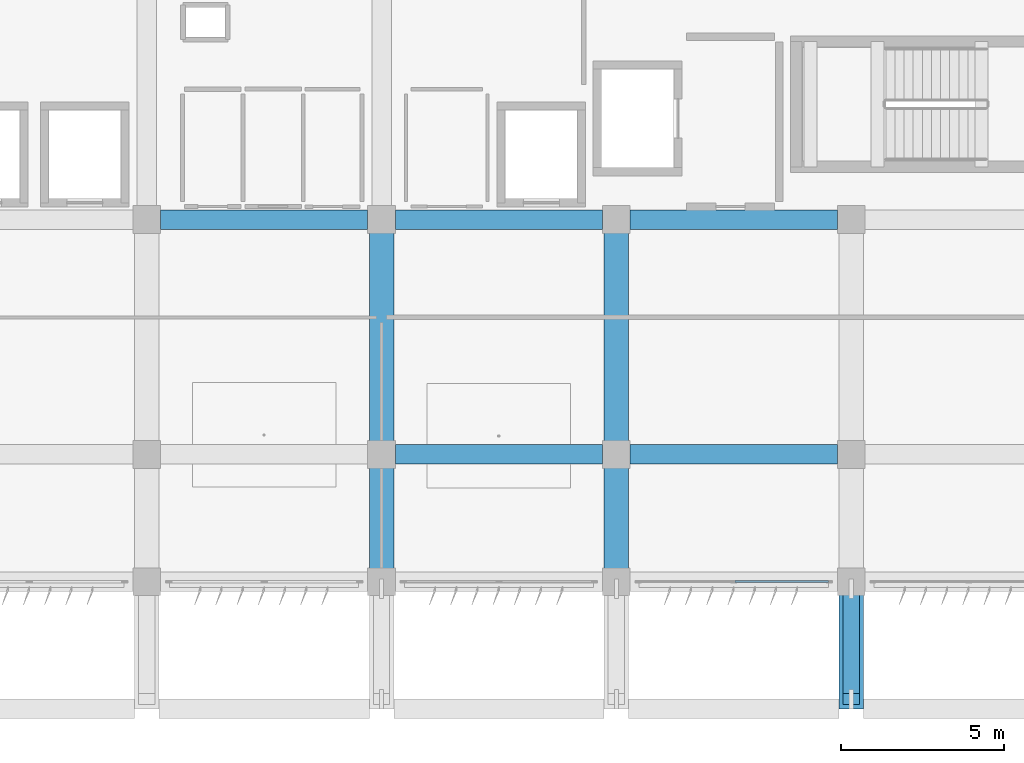
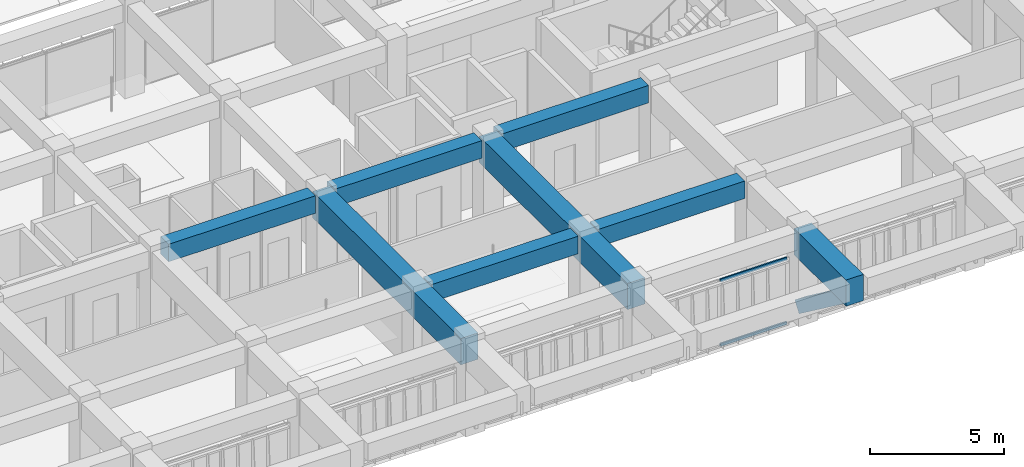
# One storey, part 18 of 56: 8 beams, 3 members, 1 element without a shape of its own.
"""IFC4 building model written with IfcOpenShell, lengths in metres."""

from ifc_helpers import new_model, si_unit, direction, frame, origin, origin_2d, place, context, subcontext, project, spatial, rectangle, hollow_rectangle, extrude, material, material_profile, profile_set, type_object, element, aggregate, save


model = new_model("IFC4")

# Units and contexts
model_context = context("Model", 3, precision=1e-05, world=origin(), true_north=direction((0.0, 1.0)))
body_context = subcontext(model_context, "Body", "Model", "MODEL_VIEW")
ifc_project = project(units=[si_unit("LENGTHUNIT", "METRE"), si_unit("AREAUNIT", "SQUARE_METRE"), si_unit("VOLUMEUNIT", "CUBIC_METRE"), si_unit("PLANEANGLEUNIT", "RADIAN"), si_unit("MASSUNIT", "GRAM", prefix="KILO")], contexts=[model_context])

# Site, building, storey
site_placement = place(None, origin())
site = spatial("IfcSite", under=ifc_project, at=site_placement, CompositionType="ELEMENT")
building_placement = place(site_placement, origin())
building = spatial("IfcBuilding", under=site, at=building_placement, Name="Kazehaya Institute of Natural Sciences", CompositionType="ELEMENT")
storey_placement = place(building_placement, frame((0.0, 0.0, 24.300048828125)))
storey = spatial("IfcBuildingStorey", under=building, at=storey_placement, Name="L05", CompositionType="ELEMENT", Elevation=24.300048828125)

# Beams
ifc_material_1 = material(Name="Concrete Fc36", Category="concrete")
ifc_material_profile_1 = material_profile(ifc_material_1, rectangle(XDim=0.60009765625, YDim=0.800048828125, at=origin_2d()), Name="RC-600x800")
ifc_profile_set_1 = profile_set([ifc_material_profile_1], Name="Concrete Fc36")
beam_type_1 = type_object("IfcBeamType", Name="BM-G-600x800", PredefinedType="BEAM", material=ifc_profile_set_1)
beam_1_placement = place(storey_placement, frame((91.02490234375, 14.0, 3.829833984375), z_axis=(1.0, 0.0, 0.0), x_axis=(0.0, 1.0, 0.0)))
element("IfcBeam", 1, at=beam_1_placement, inside=storey, type_object=beam_type_1, Name="L05 primary X girder BMX-L05-906-140", PredefinedType="BEAM", context=body_context, shape_type="SweptSolid", body=[
    extrude(rectangle(XDim=0.60009765625, YDim=0.800048828125, at=origin_2d()), origin(), (0.0, 0.0, 1.0), 6.35009765625),
])
beam_2_placement = place(storey_placement, frame((98.22509765625, 14.0, 3.829833984375), z_axis=(1.0, 0.0, 0.0), x_axis=(0.0, 1.0, 0.0)))
element("IfcBeam", 2, at=beam_2_placement, inside=storey, type_object=beam_type_1, Name="L05 primary X girder BMX-L05-978-140", PredefinedType="BEAM", context=body_context, shape_type="SweptSolid", body=[
    extrude(rectangle(XDim=0.60009765625, YDim=0.800048828125, at=origin_2d()), origin(), (0.0, 0.0, 1.0), 6.349853515625),
])
for number, where, z_axis, x_axis, name in (
    (3, (83.824951171875, 21.199951171875, 3.829833984375), (1.0, 0.0, 0.0), (0.0, 1.0, 0.0), "L05 primary X girder BMX-L05-834-212"),
    (4, (91.02490234375, 21.199951171875, 3.829833984375), (1.0, 0.0, 0.0), (0.0, 1.0, 0.0), "L05 primary X girder BMX-L05-906-212"),
):
    element("IfcBeam", number, at=place(storey_placement, frame(where, z_axis=z_axis, x_axis=x_axis)), inside=storey, type_object=beam_type_1, Name=name, PredefinedType="BEAM", context=body_context, shape_type="SweptSolid", body=[
        extrude(rectangle(XDim=0.60009765625, YDim=0.800048828125, at=origin_2d()), origin(), (0.0, 0.0, 1.0), 6.35009765625),
    ])
beam_3_placement = place(storey_placement, frame((98.22509765625, 21.199951171875, 3.829833984375), z_axis=(1.0, 0.0, 0.0), x_axis=(0.0, 1.0, 0.0)))
element("IfcBeam", 5, at=beam_3_placement, inside=storey, type_object=beam_type_1, Name="L05 primary X girder BMX-L05-978-212", PredefinedType="BEAM", context=body_context, shape_type="SweptSolid", body=[
    extrude(rectangle(XDim=0.60009765625, YDim=0.800048828125, at=origin_2d()), origin(), (0.0, 0.0, 1.0), 6.349853515625),
])
ifc_material_2 = material(Name="Concrete Fc42", Category="concrete")
ifc_material_profile_2 = material_profile(ifc_material_2, rectangle(XDim=0.75, YDim=1.199951171875, at=origin_2d()), Name="RC-750x1200")
ifc_profile_set_2 = profile_set([ifc_material_profile_2], Name="Concrete Fc42")
beam_type_2 = type_object("IfcBeamType", Name="BM-TG-750x1200", PredefinedType="BEAM", material=ifc_profile_set_2)
for number, where, z_axis, x_axis, name in (
    (6, (90.60009765625, 10.10009765625, 3.6298828125), (0.0, 1.0, 0.0), (-1.0, 0.0, 0.0), "L05 transfer girder back-span 1738"),
    (7, (97.800048828125, 10.10009765625, 3.6298828125), (0.0, 1.0, 0.0), (-1.0, 0.0, 0.0), "L05 transfer girder back-span 1745"),
):
    element("IfcBeam", number, at=place(storey_placement, frame(where, z_axis=z_axis, x_axis=x_axis)), inside=storey, type_object=beam_type_2, Name=name, PredefinedType="BEAM", context=body_context, shape_type="SweptSolid", body=[
        extrude(rectangle(XDim=0.75, YDim=1.199951171875, at=origin_2d()), origin(), (0.0, 0.0, 1.0), 11.099853515625),
    ])
beam_4_placement = place(storey_placement, frame((105.0, 6.199951171875, 3.6298828125), z_axis=(0.0, 1.0, 0.0), x_axis=(-1.0, 0.0, 0.0)))
element("IfcBeam", 8, at=beam_4_placement, inside=storey, type_object=beam_type_2, Name="L05 cantilever transfer girder 1750", PredefinedType="BEAM", context=body_context, shape_type="SweptSolid", body=[
    extrude(rectangle(XDim=0.75, YDim=1.199951171875, at=origin_2d()), origin(), (0.0, 0.0, 1.0), 3.900146484375),
])

# Curtain wall, members
ifc_material_3 = material(Name="Aluminium alloy A6063S-T5", Category="aluminium")
curtain_wall_type = type_object("IfcCurtainWallType", Name="CW-SYS-04", PredefinedType="NOTDEFINED", material=ifc_material_3)
curtain_wall_placement = place(storey_placement, origin())
curtain_wall = element("IfcCurtainWall", 9, at=curtain_wall_placement, inside=storey, type_object=curtain_wall_type, Name="L05 unitised curtain wall CW-L05-096", PredefinedType="NOTDEFINED")
ifc_material_profile_3 = material_profile(ifc_material_3, hollow_rectangle(XDim=0.06005859375, YDim=0.139892578125, WallThickness=0.00341796875, at=origin_2d()), Name="ALU-60x140x3.5")
ifc_profile_set_3 = profile_set([ifc_material_profile_3], Name="Aluminium alloy A6063S-T5")
member_type_1 = type_object("IfcMemberType", Name="CWT-140", PredefinedType="USERDEFINED", material=ifc_profile_set_3)
member_1_placement = place(storey_placement, frame((104.300048828125, 10.10009765625, 0.030029296875), z_axis=(-1.0, 0.0, 0.0), x_axis=(0.0, -1.0, 0.0)))
member_1 = element("IfcMember", 10, at=member_1_placement, type_object=member_type_1, Name="CW04 transom 1.1", ObjectType="TRANSOM", PredefinedType="USERDEFINED", context=body_context, shape_type="SweptSolid", body=[
    extrude(hollow_rectangle(XDim=0.06005859375, YDim=0.139892578125, WallThickness=0.00341796875, at=origin_2d()), origin(), (0.0, 0.0, 1.0), 2.8701171875),
])
member_2_placement = place(storey_placement, frame((104.300048828125, 10.10009765625, 2.969970703125), z_axis=(-1.0, 0.0, 0.0), x_axis=(0.0, -1.0, 0.0)))
member_2 = element("IfcMember", 11, at=member_2_placement, type_object=member_type_1, Name="CW04 transom 1.2", ObjectType="TRANSOM", PredefinedType="USERDEFINED", context=body_context, shape_type="SweptSolid", body=[
    extrude(hollow_rectangle(XDim=0.06005859375, YDim=0.139892578125, WallThickness=0.00341796875, at=origin_2d()), origin(), (0.0, 0.0, 1.0), 2.8701171875),
])
aggregate(curtain_wall, [member_1, member_2])

# Member
ifc_material_profile_4 = material_profile(ifc_material_2, rectangle(XDim=0.5, YDim=0.550048828125, at=origin_2d()), Name="RC-500x550")
ifc_profile_set_4 = profile_set([ifc_material_profile_4], Name="Concrete Fc42")
member_type_2 = type_object("IfcMemberType", Name="MEM-STRUT-RC500", PredefinedType="BRACE", material=ifc_profile_set_4)
member_3_placement = place(storey_placement, frame((105.0, 10.10009765625, 0.599853515625), z_axis=(0.0, -0.802122938841, 0.597158932768), x_axis=(1.0, 0.0, 0.0)))
element("IfcMember", 12, at=member_3_placement, inside=storey, type_object=member_type_2, Name="L05 raked cantilever strut 018", PredefinedType="BRACE", context=body_context, shape_type="SweptSolid", body=[
    extrude(rectangle(XDim=0.5, YDim=0.550048828125, at=origin_2d()), origin(), (0.0, 0.0, 1.0), 4.48828125),
])

save(model, "model.ifc")
